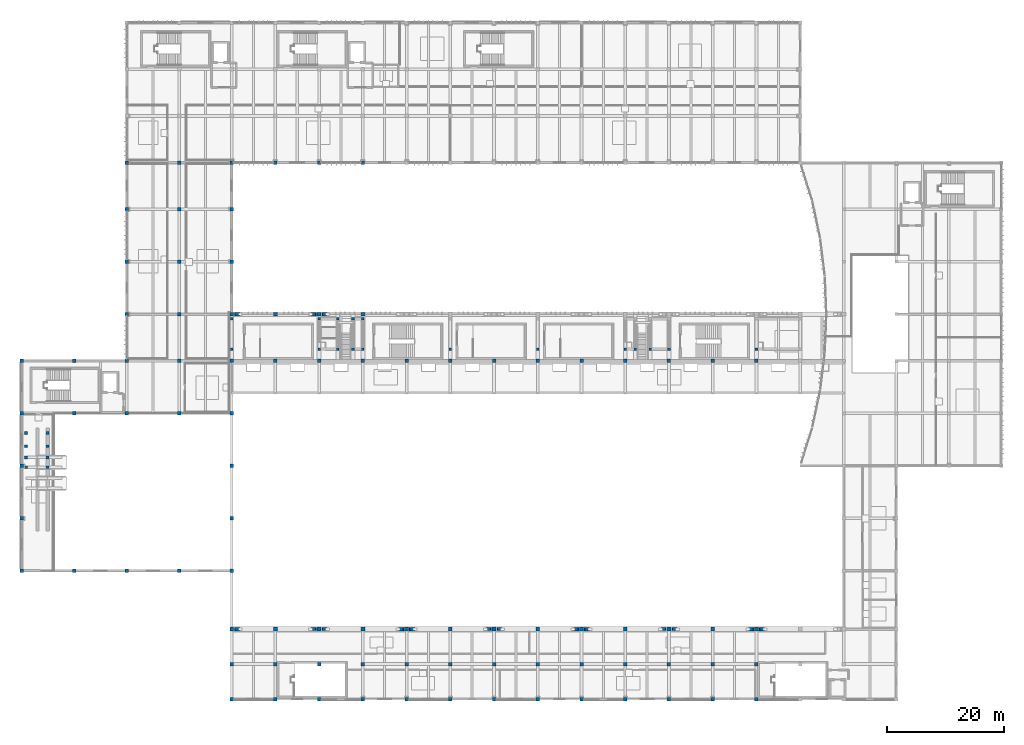
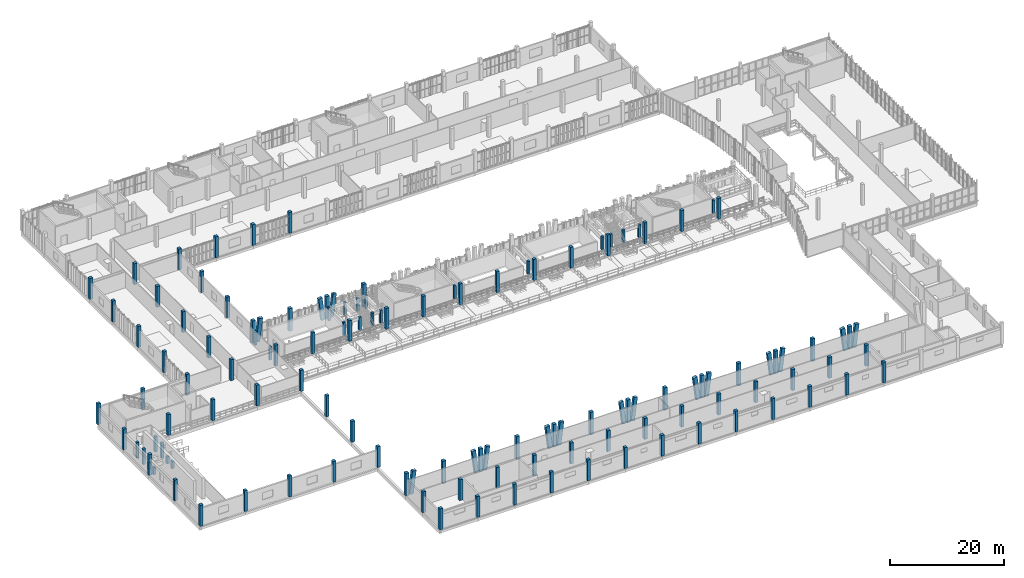
# One storey, part 1 of 81: 129 columns.
"""IFC4 building model written with IfcOpenShell, lengths in metres."""

import ifcopenshell
import ifcopenshell.guid

model = None  # the IFC model being written
_history = None  # IfcOwnerHistory: only IFC2X3 demands one
_inside = {}  # id of a spatial element -> (the spatial element, [elements in it])
_under = {}  # id of a project, library or spatial element -> (it, [spatial elements below it])
_declared = {}  # id of a project -> (the project, [libraries it declares])
_typed = {}  # id of a type object -> (the type object, [elements of that type])
_made_of = {}  # id of a material, layer set ... -> (it, [elements and type objects made of it])


def new_model(schema):
    """Start an empty IFC model of exactly this schema.

    Asked for "IFC4X3", IfcOpenShell would pick the latest addendum, in which some entities
    have other attributes; the version numbers below select the first issue.
    IFC2X3 requires an IfcOwnerHistory on every rooted entity: one is made here for all.
    """
    global model, _history
    if schema == "IFC4X3":
        model = ifcopenshell.file(schema_version=(4, 3, 0, 0))
    else:
        model = ifcopenshell.file(schema=schema)
    _inside.clear()
    _under.clear()
    _declared.clear()
    _typed.clear()
    _made_of.clear()
    _history = None
    if model.schema == "IFC2X3":
        org = make("IfcOrganization", Name="unknown")
        user = make(
            "IfcPersonAndOrganization",
            ThePerson=make("IfcPerson", FamilyName="unknown"),
            TheOrganization=org,
        )
        app = make(
            "IfcApplication",
            ApplicationDeveloper=org,
            Version="unknown",
            ApplicationFullName="unknown",
            ApplicationIdentifier="unknown",
        )
        _history = make(
            "IfcOwnerHistory",
            OwningUser=user,
            OwningApplication=app,
            ChangeAction="ADDED",
            CreationDate=0,
        )
    return model


def make(cls, **values):
    """One entity of the class cls with the attributes given. An attribute that is None is left unset."""
    return model.create_entity(
        cls, **{name: value for name, value in values.items() if value is not None}
    )


def rooted(cls, **values):
    """An entity with a GlobalId (a new one), such as an element, a storey or a relation."""
    return make(cls, GlobalId=ifcopenshell.guid.new(), OwnerHistory=_history, **values)


def si_unit(unit_type, name, prefix=None):
    """IfcSIUnit, for example si_unit("LENGTHUNIT", "METRE", prefix="MILLI")."""
    return make("IfcSIUnit", UnitType=unit_type, Prefix=prefix, Name=name)


def assignment(units):
    """IfcUnitAssignment: the units of a project."""
    return None if units is None else make("IfcUnitAssignment", Units=units)


def point(xyz):
    """IfcCartesianPoint."""
    return None if xyz is None else make("IfcCartesianPoint", Coordinates=xyz)


def direction(xyz):
    """IfcDirection."""
    return None if xyz is None else make("IfcDirection", DirectionRatios=xyz)


def frame(location, z_axis=None, x_axis=None):
    """IfcAxis2Placement3D, a coordinate frame: its origin and axes. An axis left out is left unset."""
    return make(
        "IfcAxis2Placement3D",
        Location=point(location),
        Axis=direction(z_axis),
        RefDirection=direction(x_axis),
    )


def frame_2d(location, x_axis=None):
    """IfcAxis2Placement2D, a coordinate frame in the plane: its origin and x axis."""
    return make(
        "IfcAxis2Placement2D", Location=point(location), RefDirection=direction(x_axis)
    )


def origin():
    """The frame at (0, 0, 0) with its axes left unset."""
    return frame((0.0, 0.0, 0.0))


def origin_2d():
    """The frame at (0, 0) in the plane with its x axis left unset."""
    return frame_2d((0.0, 0.0))


def place(relative_to, where):
    """IfcLocalPlacement: puts the frame where relative to a parent placement (None: the world)."""
    return make(
        "IfcLocalPlacement", PlacementRelTo=relative_to, RelativePlacement=where
    )


def context(
    kind, dimensions, precision=None, world=None, true_north=None, identifier=None
):
    """IfcGeometricRepresentationContext, for example the 3D "Model" context."""
    return make(
        "IfcGeometricRepresentationContext",
        ContextIdentifier=identifier,
        ContextType=kind,
        CoordinateSpaceDimension=dimensions,
        Precision=precision,
        WorldCoordinateSystem=world,
        TrueNorth=true_north,
    )


def subcontext(parent, identifier, kind, view, scale=None):
    """IfcGeometricRepresentationSubContext, for example "Body" below "Model"."""
    return make(
        "IfcGeometricRepresentationSubContext",
        ContextIdentifier=identifier,
        ContextType=kind,
        ParentContext=parent,
        TargetScale=scale,
        TargetView=view,
    )


def project(units=None, contexts=None):
    """IfcProject with its units and contexts."""
    return rooted(
        "IfcProject",
        Name="project",
        RepresentationContexts=contexts,
        UnitsInContext=assignment(units),
    )


def spatial(cls, under=None, at=None, **own):
    """A site, building, storey or space (cls), placed at a placement, below another one or the project."""
    s = rooted(cls, ObjectPlacement=at, **own)
    if under is not None:
        _under.setdefault(under.id(), (under, []))[1].append(s)
    return s


def profile(cls, at=None, kind="AREA", **sizes):
    """A parametric profile (cls). Its sizes go by their IFC names, for example OverallWidth=200.0."""
    return make(cls, ProfileType=kind, Position=at, **sizes)


def rectangle(**sizes):
    """IfcRectangleProfileDef."""
    return profile("IfcRectangleProfileDef", **sizes)


def extrude(swept, where, along, depth):
    """IfcExtrudedAreaSolid: the profile swept, set in the frame where, extruded along a direction by depth."""
    return make(
        "IfcExtrudedAreaSolid",
        SweptArea=swept,
        Position=where,
        ExtrudedDirection=direction(along),
        Depth=depth,
    )


def shape(context_of_items, identifier, shape_type, items):
    """IfcShapeRepresentation: the items that make up one representation, for example the "Body"."""
    return make(
        "IfcShapeRepresentation",
        ContextOfItems=context_of_items,
        RepresentationIdentifier=identifier,
        RepresentationType=shape_type,
        Items=items,
    )


def material(Name=None, Category=None):
    """IfcMaterial."""
    return make("IfcMaterial", Name=Name, Category=Category)


def material_profile(
    of_material, cross_section, Name=None, Category=None, Priority=None
):
    """IfcMaterialProfile: a cross section and its material."""
    return make(
        "IfcMaterialProfile",
        Name=Name,
        Material=of_material,
        Profile=cross_section,
        Priority=Priority,
        Category=Category,
    )


def profile_set(profiles, Name=None, composite=None):
    """IfcMaterialProfileSet."""
    return make(
        "IfcMaterialProfileSet",
        Name=Name,
        MaterialProfiles=profiles,
        CompositeProfile=composite,
    )


def made_of(thing, what):
    """Note that an element or type object is made of a material, layer set ...; save() writes the relation."""
    if what is not None:
        _made_of.setdefault(what.id(), (what, []))[1].append(thing)
    return thing


def type_object(cls, material=None, **own):
    """A type object (cls), such as IfcWallType, which elements share."""
    return made_of(rooted(cls, **own), material)


def element(
    cls,
    number,
    at=None,
    inside=None,
    cuts=None,
    type_object=None,
    material=None,
    context=None,
    identifier="Body",
    shape_type=None,
    held_by="IfcProductDefinitionShape",
    body=None,
    shapes=None,
    **own,
):
    """One element of the class cls, such as IfcWall. Its Tag is "e" and its number.

    at: its placement. inside: the storey or other place that contains it. cuts: it is an
    opening in that element (IfcRelVoidsElement). A single representation is given by context,
    identifier, shape_type and body (its items); several are given by shapes. held_by: the class
    of the entity that holds the representations. save() writes the other relations.
    """
    e = rooted(cls, Tag="e%d" % number, ObjectPlacement=at, **own)
    if body is not None:
        shapes = [shape(context, identifier, shape_type, body)]
    if shapes is not None:
        e.Representation = make(held_by, Representations=shapes)
    if inside is not None:
        _inside.setdefault(inside.id(), (inside, []))[1].append(e)
    if cuts is not None:
        rooted(
            "IfcRelVoidsElement", RelatingBuildingElement=cuts, RelatedOpeningElement=e
        )
    if type_object is not None:
        _typed.setdefault(type_object.id(), (type_object, []))[1].append(e)
    return made_of(e, material)


def aggregate(whole, parts):
    """IfcRelAggregates: a whole, such as a stair, and the parts it consists of."""
    return rooted("IfcRelAggregates", RelatingObject=whole, RelatedObjects=parts)


def save(model, path):
    """Write the relations noted so far, then the file.

    IfcRelAggregates (storeys below a building ...), IfcRelContainedInSpatialStructure (elements
    in a storey), IfcRelDefinesByType, IfcRelAssociatesMaterial and IfcRelDeclares: one each for
    every whole, place, type object, material and project.
    """
    for whole, parts in _under.values():
        aggregate(whole, parts)
    for where, things in _inside.values():
        rooted(
            "IfcRelContainedInSpatialStructure",
            RelatedElements=things,
            RelatingStructure=where,
        )
    for kind, things in _typed.values():
        rooted("IfcRelDefinesByType", RelatedObjects=things, RelatingType=kind)
    for what, things in _made_of.values():
        rooted("IfcRelAssociatesMaterial", RelatedObjects=things, RelatingMaterial=what)
    for by, libraries in _declared.values():
        rooted("IfcRelDeclares", RelatingContext=by, RelatedDefinitions=libraries)
    model.write(path)


model = new_model("IFC4")

# Units and contexts
model_context = context("Model", 3, precision=1e-05, world=origin(), true_north=direction((0.0, 1.0)))
body_context = subcontext(model_context, "Body", "Model", "MODEL_VIEW")
ifc_project = project(units=[si_unit("LENGTHUNIT", "METRE"), si_unit("AREAUNIT", "SQUARE_METRE"), si_unit("VOLUMEUNIT", "CUBIC_METRE"), si_unit("PLANEANGLEUNIT", "RADIAN"), si_unit("MASSUNIT", "GRAM", prefix="KILO")], contexts=[model_context])

# Site, building, storey
site_placement = place(None, origin())
site = spatial("IfcSite", under=ifc_project, at=site_placement, CompositionType="ELEMENT")
building_placement = place(site_placement, origin())
building = spatial("IfcBuilding", under=site, at=building_placement, Name="Vourika Railside Aquatics Centre", CompositionType="ELEMENT")
storey_placement = place(building_placement, frame((0.0, 0.0, 4.800048828125)))
storey = spatial("IfcBuildingStorey", under=building, at=storey_placement, Name="L01", CompositionType="ELEMENT", Elevation=4.800048828125)

# Columns
ifc_material_1 = material(Name="Concrete C40/50", Category="concrete")
ifc_material_profile_1 = material_profile(ifc_material_1, rectangle(XDim=0.60009765625, YDim=0.800048828125, at=origin_2d()), Name="RC 600x800")
ifc_profile_set_1 = profile_set([ifc_material_profile_1], Name="Concrete C40/50")
column_type_1 = type_object("IfcColumnType", Name="COL-PIER-V", PredefinedType="USERDEFINED", material=ifc_profile_set_1)
for number, where, z_axis, x_axis, name in (
    (1, (36.85009765625, 12.0, 0.0), (0.122749528587, 0.0, 0.992437682291), (0.0, 1.0, 0.0), "V-Splayed Vault Pier 36/12-E"),
    (2, (36.85009765625, 66.0, 0.0), (0.122749528587, 0.0, 0.992437682291), (0.0, 1.0, 0.0), "V-Splayed Vault Pier 36/66-E"),
    (3, (65.14990234375, 12.0, 0.0), (-0.122749528587, 0.0, 0.992437682291), (0.0, -1.0, 0.0), "V-Splayed Vault Pier 66/12-W"),
    (4, (66.85009765625, 12.0, 0.0), (0.122749528587, 0.0, 0.992437682291), (0.0, 1.0, 0.0), "V-Splayed Vault Pier 66/12-E"),
    (5, (95.14990234375, 12.0, 0.0), (-0.122749528587, 0.0, 0.992437682291), (0.0, -1.0, 0.0), "V-Splayed Vault Pier 96/12-W"),
    (6, (96.85009765625, 12.0, 0.0), (0.122749528587, 0.0, 0.992437682291), (0.0, 1.0, 0.0), "V-Splayed Vault Pier 96/12-E"),
    (7, (125.14990234375, 12.0, 0.0), (-0.122749528587, 0.0, 0.992437682291), (0.0, -1.0, 0.0), "V-Splayed Vault Pier 126/12-W"),
    (8, (126.85009765625, 12.0, 0.0), (0.122749528587, 0.0, 0.992437682291), (0.0, 1.0, 0.0), "V-Splayed Vault Pier 126/12-E"),
):
    element("IfcColumn", number, at=place(storey_placement, frame(where, z_axis=z_axis, x_axis=x_axis)), inside=storey, type_object=column_type_1, Name=name, ObjectType="SPLAYED PIER", PredefinedType="USERDEFINED", context=body_context, shape_type="SweptSolid", body=[
        extrude(rectangle(XDim=0.60009765625, YDim=0.800048828125, at=origin_2d()), origin(), (0.0, 0.0, 1.0), 4.88671875),
    ])
ifc_material_profile_2 = material_profile(ifc_material_1, rectangle(XDim=0.550048828125, YDim=0.75, at=origin_2d()), Name="RC 550x750")
ifc_profile_set_2 = profile_set([ifc_material_profile_2], Name="Concrete C40/50")
column_type_2 = type_object("IfcColumnType", Name="COL-PIER-V2", PredefinedType="USERDEFINED", material=ifc_profile_set_2)
for number, where, z_axis, x_axis, name in (
    (9, (50.14990234375, 12.0, 0.0), (-0.122749528587, 0.0, 0.992437682291), (0.0, -1.0, 0.0), "V-Splayed Vault Pier 51/12-W"),
    (10, (51.85009765625, 12.0, 0.0), (0.122749528587, 0.0, 0.992437682291), (0.0, 1.0, 0.0), "V-Splayed Vault Pier 51/12-E"),
    (11, (50.14990234375, 66.0, 0.0), (-0.122749528587, 0.0, 0.992437682291), (0.0, -1.0, 0.0), "V-Splayed Vault Pier 51/66-W"),
    (12, (51.85009765625, 66.0, 0.0), (0.122749528587, 0.0, 0.992437682291), (0.0, 1.0, 0.0), "V-Splayed Vault Pier 51/66-E"),
    (13, (80.14990234375, 12.0, 0.0), (-0.122749528587, 0.0, 0.992437682291), (0.0, -1.0, 0.0), "V-Splayed Vault Pier 81/12-W"),
    (14, (81.85009765625, 12.0, 0.0), (0.122749528587, 0.0, 0.992437682291), (0.0, 1.0, 0.0), "V-Splayed Vault Pier 81/12-E"),
    (15, (110.14990234375, 12.0, 0.0), (-0.122749528587, 0.0, 0.992437682291), (0.0, -1.0, 0.0), "V-Splayed Vault Pier 111/12-W"),
    (16, (111.85009765625, 12.0, 0.0), (0.122749528587, 0.0, 0.992437682291), (0.0, 1.0, 0.0), "V-Splayed Vault Pier 111/12-E"),
):
    element("IfcColumn", number, at=place(storey_placement, frame(where, z_axis=z_axis, x_axis=x_axis)), inside=storey, type_object=column_type_2, Name=name, ObjectType="SPLAYED PIER", PredefinedType="USERDEFINED", context=body_context, shape_type="SweptSolid", body=[
        extrude(rectangle(XDim=0.550048828125, YDim=0.75, at=origin_2d()), origin(), (0.0, 0.0, 1.0), 4.88671875),
    ])
ifc_material_2 = material(Name="Concrete C35/45", Category="concrete")
ifc_material_profile_3 = material_profile(ifc_material_2, rectangle(XDim=0.449951171875, YDim=0.449951171875, at=origin_2d()), Name="RC 450x450")
ifc_profile_set_3 = profile_set([ifc_material_profile_3], Name="Concrete C35/45")
column_type_3 = type_object("IfcColumnType", Name="COL-RC450", PredefinedType="COLUMN", material=ifc_profile_set_3)
for number, where, z_axis, x_axis, name in (
    (17, (36.0, 60.0, 0.0), (0.0, 0.0, 1.0), (1.0, 0.0, 0.0), "Upper Stand Front Column 36.0"),
    (18, (36.0, 65.199951171875, 0.0), (0.0, 0.0, 1.0), (1.0, 0.0, 0.0), "Upper Stand Rear Column 36.0"),
    (19, (51.0, 60.0, 0.0), (0.0, 0.0, 1.0), (1.0, 0.0, 0.0), "Upper Stand Front Column 51.0"),
    (20, (51.0, 65.199951171875, 0.0), (0.0, 0.0, 1.0), (1.0, 0.0, 0.0), "Upper Stand Rear Column 51.0"),
    (21, (58.5, 60.0, 0.0), (0.0, 0.0, 1.0), (1.0, 0.0, 0.0), "Upper Stand Front Column 58.5"),
    (22, (58.5, 65.199951171875, 0.0), (0.0, 0.0, 1.0), (1.0, 0.0, 0.0), "Upper Stand Rear Column 58.5"),
    (23, (73.5, 60.0, 0.0), (0.0, 0.0, 1.0), (1.0, 0.0, 0.0), "Upper Stand Front Column 73.5"),
    (24, (88.5, 60.0, 0.0), (0.0, 0.0, 1.0), (1.0, 0.0, 0.0), "Upper Stand Front Column 88.5"),
    (25, (103.5, 60.0, 0.0), (0.0, 0.0, 1.0), (1.0, 0.0, 0.0), "Upper Stand Front Column 103.5"),
    (26, (111.0, 60.0, 0.0), (0.0, 0.0, 1.0), (1.0, 0.0, 0.0), "Upper Stand Front Column 111.0"),
    (27, (126.0, 60.0, 0.0), (0.0, 0.0, 1.0), (1.0, 0.0, 0.0), "Upper Stand Front Column 126.0"),
    (28, (54.199951171875, 60.0, 0.0), (0.0, 0.0, 1.0), (1.0, 0.0, 0.0), "Vomitory Trimmer Front Column 54.2"),
    (29, (54.199951171875, 65.199951171875, 0.0), (0.0, 0.0, 1.0), (1.0, 0.0, 0.0), "Vomitory Trimmer Rear Column 54.2"),
    (30, (56.800048828125, 60.0, 0.0), (0.0, 0.0, 1.0), (1.0, 0.0, 0.0), "Vomitory Trimmer Front Column 56.8"),
    (31, (56.800048828125, 65.199951171875, 0.0), (0.0, 0.0, 1.0), (1.0, 0.0, 0.0), "Vomitory Trimmer Rear Column 56.8"),
    (32, (105.199951171875, 60.0, 0.0), (0.0, 0.0, 1.0), (1.0, 0.0, 0.0), "Vomitory Trimmer Front Column 105.2"),
    (33, (107.800048828125, 60.0, 0.0), (0.0, 0.0, 1.0), (1.0, 0.0, 0.0), "Vomitory Trimmer Front Column 107.8"),
):
    element("IfcColumn", number, at=place(storey_placement, frame(where, z_axis=z_axis, x_axis=x_axis)), inside=storey, type_object=column_type_3, Name=name, PredefinedType="COLUMN", context=body_context, shape_type="SweptSolid", body=[
        extrude(rectangle(XDim=0.449951171875, YDim=0.449951171875, at=origin_2d()), origin(), (0.0, 0.0, 1.0), 2.804931640625),
    ])
ifc_material_profile_4 = material_profile(ifc_material_2, rectangle(XDim=0.5, YDim=0.5, at=origin_2d()), Name="RC 500x500")
ifc_profile_set_4 = profile_set([ifc_material_profile_4], Name="Concrete C35/45")
column_type_4 = type_object("IfcColumnType", Name="COL-RC500", PredefinedType="COLUMN", material=ifc_profile_set_4)
for number, where, z_axis, x_axis, name in (
    (34, (0.719970703125, 39.75, 0.0), (0.0, 0.0, 1.0), (1.0, 0.0, 0.0), "Diving Platform 7.5 m Upper Pier W1"),
    (35, (4.449951171875, 39.75, 0.0), (0.0, 0.0, 1.0), (1.0, 0.0, 0.0), "Diving Platform 7.5 m Upper Pier E1"),
    (36, (0.719970703125, 41.449951171875, 0.0), (0.0, 0.0, 1.0), (1.0, 0.0, 0.0), "Diving Platform 7.5 m Upper Pier W2"),
    (37, (4.449951171875, 41.449951171875, 0.0), (0.0, 0.0, 1.0), (1.0, 0.0, 0.0), "Diving Platform 7.5 m Upper Pier E2"),
):
    element("IfcColumn", number, at=place(storey_placement, frame(where, z_axis=z_axis, x_axis=x_axis)), inside=storey, type_object=column_type_4, Name=name, PredefinedType="COLUMN", context=body_context, shape_type="SweptSolid", body=[
        extrude(rectangle(XDim=0.5, YDim=0.5, at=origin_2d()), origin(), (0.0, 0.0, 1.0), 1.56005859375),
    ])
for number, where, z_axis, x_axis, name in (
    (38, (0.719970703125, 43.35009765625, 0.0), (0.0, 0.0, 1.0), (1.0, 0.0, 0.0), "Diving Platform 10.0 m Upper Pier W1"),
    (39, (4.449951171875, 43.35009765625, 0.0), (0.0, 0.0, 1.0), (1.0, 0.0, 0.0), "Diving Platform 10.0 m Upper Pier E1"),
    (40, (0.719970703125, 45.64990234375, 0.0), (0.0, 0.0, 1.0), (1.0, 0.0, 0.0), "Diving Platform 10.0 m Upper Pier W2"),
    (41, (4.449951171875, 45.64990234375, 0.0), (0.0, 0.0, 1.0), (1.0, 0.0, 0.0), "Diving Platform 10.0 m Upper Pier E2"),
):
    element("IfcColumn", number, at=place(storey_placement, frame(where, z_axis=z_axis, x_axis=x_axis)), inside=storey, type_object=column_type_4, Name=name, PredefinedType="COLUMN", context=body_context, shape_type="SweptSolid", body=[
        extrude(rectangle(XDim=0.5, YDim=0.5, at=origin_2d()), origin(), (0.0, 0.0, 1.0), 3.329833984375),
    ])
ifc_material_profile_5 = material_profile(ifc_material_1, rectangle(XDim=0.60009765625, YDim=0.60009765625, at=origin_2d()), Name="RC 600x600")
ifc_profile_set_5 = profile_set([ifc_material_profile_5], Name="Concrete C40/50")
column_type_5 = type_object("IfcColumnType", Name="COL-RC600", PredefinedType="COLUMN", material=ifc_profile_set_5)
for number, where, z_axis, x_axis, name in (
    (42, (0.0, 22.0, 0.0), (0.0, 0.0, 1.0), (1.0, 0.0, 0.0), "Column col:L01:0_220"),
    (43, (0.0, 31.0, 0.0), (0.0, 0.0, 1.0), (1.0, 0.0, 0.0), "Column col:L01:0_310"),
    (44, (0.0, 40.0, 0.0), (0.0, 0.0, 1.0), (1.0, 0.0, 0.0), "Column col:L01:0_400"),
    (45, (0.0, 49.0, 0.0), (0.0, 0.0, 1.0), (1.0, 0.0, 0.0), "Column col:L01:0_490"),
    (46, (0.0, 58.0, 0.0), (0.0, 0.0, 1.0), (1.0, 0.0, 0.0), "Column col:L01:0_580"),
    (47, (9.0, 22.0, 0.0), (0.0, 0.0, 1.0), (1.0, 0.0, 0.0), "Column col:L01:90_220"),
    (48, (9.0, 49.0, 0.0), (0.0, 0.0, 1.0), (1.0, 0.0, 0.0), "Column col:L01:90_490"),
    (49, (9.0, 58.0, 0.0), (0.0, 0.0, 1.0), (1.0, 0.0, 0.0), "Column col:L01:90_580"),
    (50, (18.0, 22.0, 0.0), (0.0, 0.0, 1.0), (1.0, 0.0, 0.0), "Column col:L01:180_220"),
    (51, (18.0, 49.0, 0.0), (0.0, 0.0, 1.0), (1.0, 0.0, 0.0), "Column col:L01:180_490"),
    (52, (18.0, 58.0, 0.0), (0.0, 0.0, 1.0), (1.0, 0.0, 0.0), "Column col:L01:180_580"),
    (53, (18.0, 66.0, 0.0), (0.0, 0.0, 1.0), (1.0, 0.0, 0.0), "Column col:L01:180_660"),
    (54, (18.0, 75.0, 0.0), (0.0, 0.0, 1.0), (1.0, 0.0, 0.0), "Column col:L01:180_750"),
    (55, (18.0, 84.0, 0.0), (0.0, 0.0, 1.0), (1.0, 0.0, 0.0), "Column col:L01:180_840"),
    (56, (18.0, 92.0, 0.0), (0.0, 0.0, 1.0), (1.0, 0.0, 0.0), "Column col:L01:180_920"),
    (57, (27.0, 22.0, 0.0), (0.0, 0.0, 1.0), (1.0, 0.0, 0.0), "Column col:L01:270_220"),
    (58, (27.0, 49.0, 0.0), (0.0, 0.0, 1.0), (1.0, 0.0, 0.0), "Column col:L01:270_490"),
    (59, (27.0, 58.0, 0.0), (0.0, 0.0, 1.0), (1.0, 0.0, 0.0), "Column col:L01:270_580"),
    (60, (27.0, 66.0, 0.0), (0.0, 0.0, 1.0), (1.0, 0.0, 0.0), "Column col:L01:270_660"),
    (61, (27.0, 75.0, 0.0), (0.0, 0.0, 1.0), (1.0, 0.0, 0.0), "Column col:L01:270_750"),
    (62, (27.0, 84.0, 0.0), (0.0, 0.0, 1.0), (1.0, 0.0, 0.0), "Column col:L01:270_840"),
    (63, (27.0, 92.0, 0.0), (0.0, 0.0, 1.0), (1.0, 0.0, 0.0), "Column col:L01:270_920"),
    (64, (36.0, 0.0, 0.0), (0.0, 0.0, 1.0), (1.0, 0.0, 0.0), "Column col:L01:360_0"),
    (65, (36.0, 6.0, 0.0), (0.0, 0.0, 1.0), (1.0, 0.0, 0.0), "Column col:L01:360_60"),
    (66, (36.0, 22.0, 0.0), (0.0, 0.0, 1.0), (1.0, 0.0, 0.0), "Column col:L01:360_220"),
    (67, (36.0, 31.0, 0.0), (0.0, 0.0, 1.0), (1.0, 0.0, 0.0), "Column col:L01:360_310"),
    (68, (36.0, 40.0, 0.0), (0.0, 0.0, 1.0), (1.0, 0.0, 0.0), "Column col:L01:360_400"),
    (69, (36.0, 49.0, 0.0), (0.0, 0.0, 1.0), (1.0, 0.0, 0.0), "Column col:L01:360_490"),
    (70, (36.0, 58.0, 0.0), (0.0, 0.0, 1.0), (1.0, 0.0, 0.0), "Column col:L01:360_580"),
    (71, (36.0, 75.0, 0.0), (0.0, 0.0, 1.0), (1.0, 0.0, 0.0), "Column col:L01:360_750"),
    (72, (36.0, 84.0, 0.0), (0.0, 0.0, 1.0), (1.0, 0.0, 0.0), "Column col:L01:360_840"),
    (73, (36.0, 92.0, 0.0), (0.0, 0.0, 1.0), (1.0, 0.0, 0.0), "Column col:L01:360_920"),
    (74, (43.5, 0.0, 0.0), (0.0, 0.0, 1.0), (1.0, 0.0, 0.0), "Column col:L01:435_0"),
    (75, (43.5, 6.0, 0.0), (0.0, 0.0, 1.0), (1.0, 0.0, 0.0), "Column col:L01:435_60"),
    (76, (43.5, 58.0, 0.0), (0.0, 0.0, 1.0), (1.0, 0.0, 0.0), "Column col:L01:435_580"),
    (77, (43.5, 92.0, 0.0), (0.0, 0.0, 1.0), (1.0, 0.0, 0.0), "Column col:L01:435_920"),
    (78, (51.0, 0.0, 0.0), (0.0, 0.0, 1.0), (1.0, 0.0, 0.0), "Column col:L01:510_0"),
    (79, (51.0, 6.0, 0.0), (0.0, 0.0, 1.0), (1.0, 0.0, 0.0), "Column col:L01:510_60"),
    (80, (51.0, 58.0, 0.0), (0.0, 0.0, 1.0), (1.0, 0.0, 0.0), "Column col:L01:510_580"),
    (81, (51.0, 92.0, 0.0), (0.0, 0.0, 1.0), (1.0, 0.0, 0.0), "Column col:L01:510_920"),
    (82, (58.5, 0.0, 0.0), (0.0, 0.0, 1.0), (1.0, 0.0, 0.0), "Column col:L01:585_0"),
    (83, (58.5, 6.0, 0.0), (0.0, 0.0, 1.0), (1.0, 0.0, 0.0), "Column col:L01:585_60"),
    (84, (58.5, 58.0, 0.0), (0.0, 0.0, 1.0), (1.0, 0.0, 0.0), "Column col:L01:585_580"),
    (85, (58.5, 92.0, 0.0), (0.0, 0.0, 1.0), (1.0, 0.0, 0.0), "Column col:L01:585_920"),
    (86, (66.0, 0.0, 0.0), (0.0, 0.0, 1.0), (1.0, 0.0, 0.0), "Column col:L01:660_0"),
    (87, (66.0, 6.0, 0.0), (0.0, 0.0, 1.0), (1.0, 0.0, 0.0), "Column col:L01:660_60"),
    (88, (66.0, 58.0, 0.0), (0.0, 0.0, 1.0), (1.0, 0.0, 0.0), "Column col:L01:660_580"),
    (89, (73.5, 0.0, 0.0), (0.0, 0.0, 1.0), (1.0, 0.0, 0.0), "Column col:L01:735_0"),
    (90, (73.5, 6.0, 0.0), (0.0, 0.0, 1.0), (1.0, 0.0, 0.0), "Column col:L01:735_60"),
    (91, (73.5, 58.0, 0.0), (0.0, 0.0, 1.0), (1.0, 0.0, 0.0), "Column col:L01:735_580"),
    (92, (81.0, 0.0, 0.0), (0.0, 0.0, 1.0), (1.0, 0.0, 0.0), "Column col:L01:810_0"),
    (93, (81.0, 6.0, 0.0), (0.0, 0.0, 1.0), (1.0, 0.0, 0.0), "Column col:L01:810_60"),
    (94, (81.0, 58.0, 0.0), (0.0, 0.0, 1.0), (1.0, 0.0, 0.0), "Column col:L01:810_580"),
    (95, (88.5, 0.0, 0.0), (0.0, 0.0, 1.0), (1.0, 0.0, 0.0), "Column col:L01:885_0"),
    (96, (88.5, 6.0, 0.0), (0.0, 0.0, 1.0), (1.0, 0.0, 0.0), "Column col:L01:885_60"),
    (97, (88.5, 58.0, 0.0), (0.0, 0.0, 1.0), (1.0, 0.0, 0.0), "Column col:L01:885_580"),
    (98, (96.0, 0.0, 0.0), (0.0, 0.0, 1.0), (1.0, 0.0, 0.0), "Column col:L01:960_0"),
    (99, (96.0, 6.0, 0.0), (0.0, 0.0, 1.0), (1.0, 0.0, 0.0), "Column col:L01:960_60"),
    (100, (96.0, 58.0, 0.0), (0.0, 0.0, 1.0), (1.0, 0.0, 0.0), "Column col:L01:960_580"),
    (101, (103.5, 0.0, 0.0), (0.0, 0.0, 1.0), (1.0, 0.0, 0.0), "Column col:L01:1035_0"),
    (102, (103.5, 6.0, 0.0), (0.0, 0.0, 1.0), (1.0, 0.0, 0.0), "Column col:L01:1035_60"),
    (103, (103.5, 58.0, 0.0), (0.0, 0.0, 1.0), (1.0, 0.0, 0.0), "Column col:L01:1035_580"),
    (104, (111.0, 0.0, 0.0), (0.0, 0.0, 1.0), (1.0, 0.0, 0.0), "Column col:L01:1110_0"),
    (105, (111.0, 6.0, 0.0), (0.0, 0.0, 1.0), (1.0, 0.0, 0.0), "Column col:L01:1110_60"),
    (106, (111.0, 58.0, 0.0), (0.0, 0.0, 1.0), (1.0, 0.0, 0.0), "Column col:L01:1110_580"),
    (107, (118.5, 0.0, 0.0), (0.0, 0.0, 1.0), (1.0, 0.0, 0.0), "Column col:L01:1185_0"),
    (108, (118.5, 6.0, 0.0), (0.0, 0.0, 1.0), (1.0, 0.0, 0.0), "Column col:L01:1185_60"),
    (109, (118.5, 58.0, 0.0), (0.0, 0.0, 1.0), (1.0, 0.0, 0.0), "Column col:L01:1185_580"),
    (110, (126.0, 0.0, 0.0), (0.0, 0.0, 1.0), (1.0, 0.0, 0.0), "Column col:L01:1260_0"),
    (111, (126.0, 6.0, 0.0), (0.0, 0.0, 1.0), (1.0, 0.0, 0.0), "Column col:L01:1260_60"),
    (112, (126.0, 58.0, 0.0), (0.0, 0.0, 1.0), (1.0, 0.0, 0.0), "Column col:L01:1260_580"),
):
    element("IfcColumn", number, at=place(storey_placement, frame(where, z_axis=z_axis, x_axis=x_axis)), inside=storey, type_object=column_type_5, Name=name, PredefinedType="COLUMN", context=body_context, shape_type="SweptSolid", body=[
        extrude(rectangle(XDim=0.60009765625, YDim=0.60009765625, at=origin_2d()), origin(), (0.0, 0.0, 1.0), 4.5),
    ])
ifc_material_profile_6 = material_profile(ifc_material_1, rectangle(XDim=0.64990234375, YDim=0.64990234375, at=origin_2d()), Name="RC 650x650")
ifc_profile_set_6 = profile_set([ifc_material_profile_6], Name="Concrete C40/50")
column_type_6 = type_object("IfcColumnType", Name="COL-RC650", PredefinedType="COLUMN", material=ifc_profile_set_6)
for number, where, z_axis, x_axis, name in (
    (113, (36.0, 12.0, 0.0), (0.0, 0.0, 1.0), (1.0, 0.0, 0.0), "Column col:L01:360_120"),
    (114, (36.0, 66.0, 0.0), (0.0, 0.0, 1.0), (1.0, 0.0, 0.0), "Column col:L01:360_660"),
    (115, (43.5, 12.0, 0.0), (0.0, 0.0, 1.0), (1.0, 0.0, 0.0), "Column col:L01:435_120"),
    (116, (43.5, 66.0, 0.0), (0.0, 0.0, 1.0), (1.0, 0.0, 0.0), "Column col:L01:435_660"),
    (117, (51.0, 12.0, 0.0), (0.0, 0.0, 1.0), (1.0, 0.0, 0.0), "Column col:L01:510_120"),
    (118, (51.0, 66.0, 0.0), (0.0, 0.0, 1.0), (1.0, 0.0, 0.0), "Column col:L01:510_660"),
    (119, (58.5, 12.0, 0.0), (0.0, 0.0, 1.0), (1.0, 0.0, 0.0), "Column col:L01:585_120"),
    (120, (58.5, 66.0, 0.0), (0.0, 0.0, 1.0), (1.0, 0.0, 0.0), "Column col:L01:585_660"),
    (121, (66.0, 12.0, 0.0), (0.0, 0.0, 1.0), (1.0, 0.0, 0.0), "Column col:L01:660_120"),
    (122, (73.5, 12.0, 0.0), (0.0, 0.0, 1.0), (1.0, 0.0, 0.0), "Column col:L01:735_120"),
    (123, (81.0, 12.0, 0.0), (0.0, 0.0, 1.0), (1.0, 0.0, 0.0), "Column col:L01:810_120"),
    (124, (88.5, 12.0, 0.0), (0.0, 0.0, 1.0), (1.0, 0.0, 0.0), "Column col:L01:885_120"),
    (125, (96.0, 12.0, 0.0), (0.0, 0.0, 1.0), (1.0, 0.0, 0.0), "Column col:L01:960_120"),
    (126, (103.5, 12.0, 0.0), (0.0, 0.0, 1.0), (1.0, 0.0, 0.0), "Column col:L01:1035_120"),
    (127, (111.0, 12.0, 0.0), (0.0, 0.0, 1.0), (1.0, 0.0, 0.0), "Column col:L01:1110_120"),
    (128, (118.5, 12.0, 0.0), (0.0, 0.0, 1.0), (1.0, 0.0, 0.0), "Column col:L01:1185_120"),
    (129, (126.0, 12.0, 0.0), (0.0, 0.0, 1.0), (1.0, 0.0, 0.0), "Column col:L01:1260_120"),
):
    element("IfcColumn", number, at=place(storey_placement, frame(where, z_axis=z_axis, x_axis=x_axis)), inside=storey, type_object=column_type_6, Name=name, PredefinedType="COLUMN", context=body_context, shape_type="SweptSolid", body=[
        extrude(rectangle(XDim=0.64990234375, YDim=0.64990234375, at=origin_2d()), origin(), (0.0, 0.0, 1.0), 4.849853515625),
    ])

save(model, "model.ifc")
